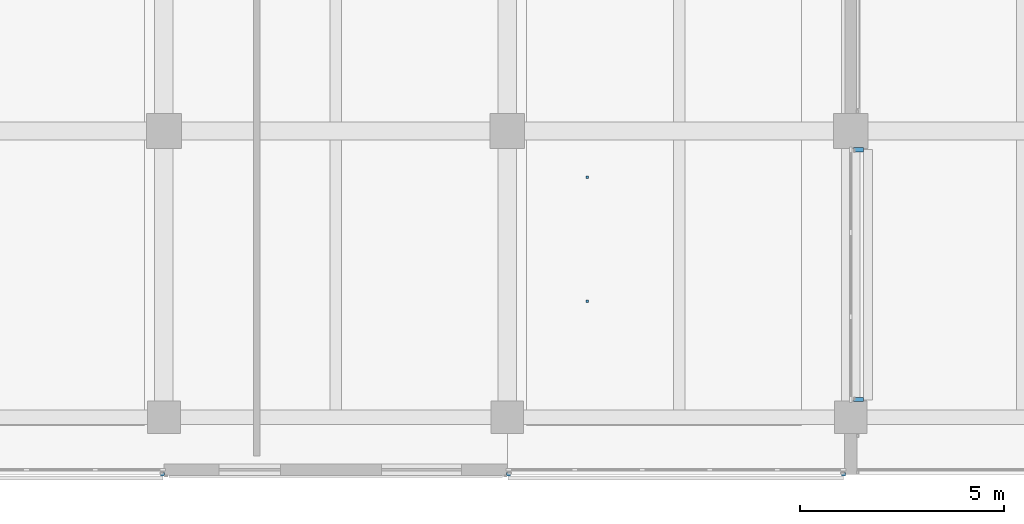
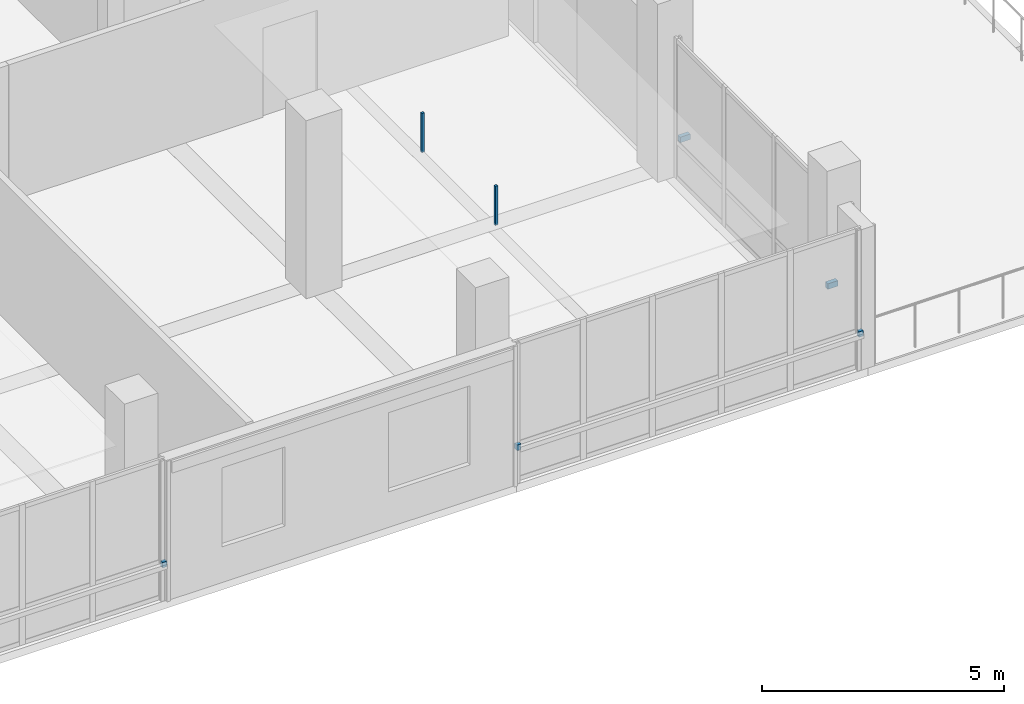
# One storey, part 18 of 36: 7 discrete accessories.
"""IFC4 building model written with IfcOpenShell, lengths in metres."""

from ifc_helpers import new_model, si_unit, direction, frame, origin, origin_2d, place, context, subcontext, project, spatial, rectangle, extrude, material, type_object, element, save


model = new_model("IFC4")

# Units and contexts
model_context = context("Model", 3, precision=1e-05, world=origin(), true_north=direction((0.0, 1.0)))
body_context = subcontext(model_context, "Body", "Model", "MODEL_VIEW")
ifc_project = project(units=[si_unit("LENGTHUNIT", "METRE"), si_unit("AREAUNIT", "SQUARE_METRE"), si_unit("VOLUMEUNIT", "CUBIC_METRE"), si_unit("PLANEANGLEUNIT", "RADIAN"), si_unit("MASSUNIT", "GRAM", prefix="KILO")], contexts=[model_context])

# Site, building, storey
site_placement = place(None, origin())
site = spatial("IfcSite", under=ifc_project, at=site_placement, CompositionType="ELEMENT")
building_placement = place(site_placement, origin())
building = spatial("IfcBuilding", under=site, at=building_placement, Name="Telukmera Botanical Conservatory", CompositionType="ELEMENT")
storey_placement = place(building_placement, frame((0.0, 0.0, 33.0)))
storey = spatial("IfcBuildingStorey", under=building, at=storey_placement, Name="L07", CompositionType="ELEMENT", Elevation=33.0)

# Discrete accessories
ifc_material = material(Name="Steel S355", Category="steel")
discrete_accessory_type_1 = type_object("IfcDiscreteAccessoryType", Name="ACC-CEIL-HGR", PredefinedType="BRACKET", material=ifc_material)
for number, where, z_axis, x_axis, name in (
    (1, (94.3505859375, 13.4375, 3.31982421875), (0.0, 0.0, 1.0), (1.0, 0.0, 0.0), "L07 Suspended Ceiling Hanger Rod 025-1"),
    (2, (94.3505859375, 16.47509765625, 3.31982421875), (0.0, 0.0, 1.0), (1.0, 0.0, 0.0), "L07 Suspended Ceiling Hanger Rod 025-2"),
):
    element("IfcDiscreteAccessory", number, at=place(storey_placement, frame(where, z_axis=z_axis, x_axis=x_axis)), inside=storey, type_object=discrete_accessory_type_1, Name=name, PredefinedType="BRACKET", context=body_context, shape_type="SweptSolid", body=[
        extrude(rectangle(XDim=0.06005859375, YDim=0.06005859375, at=origin_2d()), origin(), (0.0, 0.0, 1.0), 0.985107421875),
    ])
discrete_accessory_type_2 = type_object("IfcDiscreteAccessoryType", Name="Structural Steel Facade Outrigger Fin Bracket", PredefinedType="BRACKET", material=ifc_material)
for number, where, z_axis, x_axis, name in (
    (3, (83.968017578125, 9.205078125, 0.8798828125), (0.0, 0.0, 1.0), (1.0, 0.0, 0.0), "Facade Outrigger Bracket V4:L07:S4 B"),
    (4, (92.431884765625, 9.205078125, 0.8798828125), (0.0, 0.0, 1.0), (1.0, 0.0, 0.0), "Facade Outrigger Bracket V4:L07:S6 A"),
    (5, (100.617919921875, 9.205078125, 0.8798828125), (0.0, 0.0, 1.0), (1.0, 0.0, 0.0), "Facade Outrigger Bracket V4:L07:S6 B"),
):
    element("IfcDiscreteAccessory", number, at=place(storey_placement, frame(where, z_axis=z_axis, x_axis=x_axis)), inside=storey, type_object=discrete_accessory_type_2, Name=name, PredefinedType="BRACKET", context=body_context, shape_type="SweptSolid", body=[
        extrude(rectangle(XDim=0.10009765625, YDim=0.090087890625, at=origin_2d()), origin(), (0.0, 0.0, 1.0), 0.139892578125),
    ])
for number, where, z_axis, x_axis, name in (
    (6, (100.989990234375, 11.031982421875, 0.8798828125), (0.0, 0.0, 1.0), (0.0, 1.0, 0.0), "Facade Outrigger Bracket V4:L07:E1 A"),
    (7, (100.989990234375, 17.14306640625, 0.8798828125), (0.0, 0.0, 1.0), (0.0, 1.0, 0.0), "Facade Outrigger Bracket V4:L07:E1 B"),
):
    element("IfcDiscreteAccessory", number, at=place(storey_placement, frame(where, z_axis=z_axis, x_axis=x_axis)), inside=storey, type_object=discrete_accessory_type_2, Name=name, PredefinedType="BRACKET", context=body_context, shape_type="SweptSolid", body=[
        extrude(rectangle(XDim=0.10009765625, YDim=0.239990234375, at=origin_2d()), origin(), (0.0, 0.0, 1.0), 0.139892578125),
    ])

save(model, "model.ifc")
